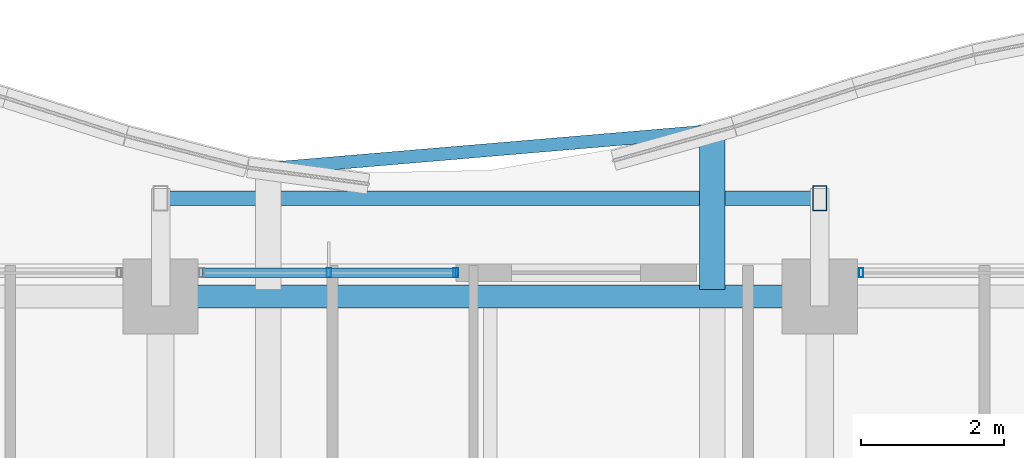
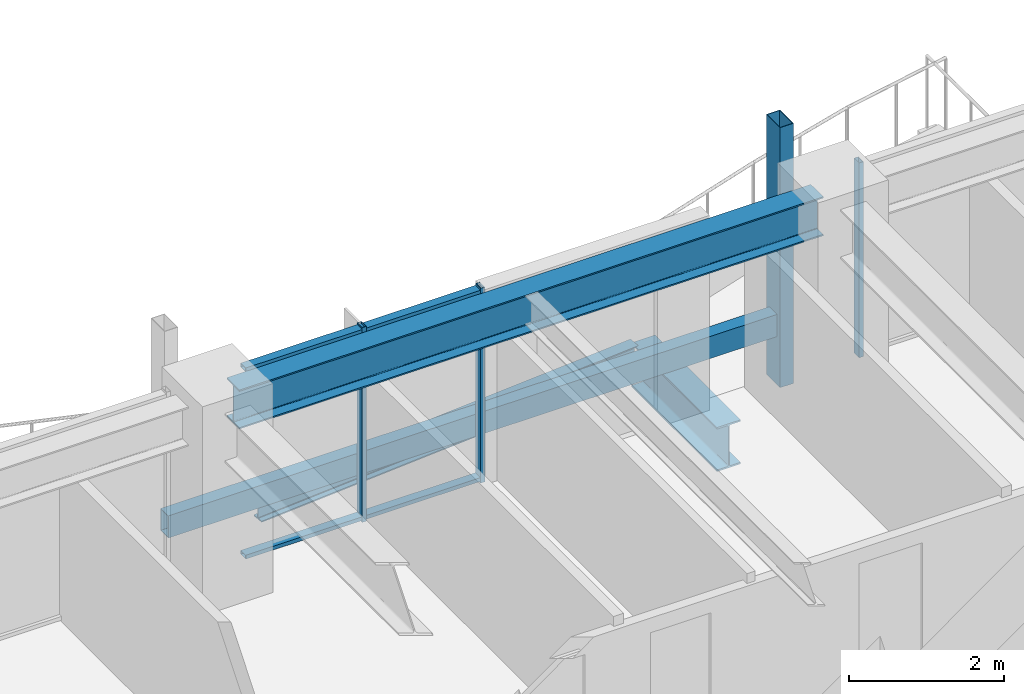
# One storey, part 19 of 34: 7 members, 3 beams, 2 elements without a shape of their own.
"""IFC4 building model written with IfcOpenShell, lengths in metres."""

from ifc_helpers import new_model, si_unit, direction, frame, origin, origin_2d, place, context, subcontext, project, spatial, hollow_rectangle, i_section, extrude, material, material_profile, profile_set, type_object, element, aggregate, save


model = new_model("IFC4")

# Units and contexts
model_context = context("Model", 3, precision=1e-05, world=origin(), true_north=direction((0.0, 1.0)))
body_context = subcontext(model_context, "Body", "Model", "MODEL_VIEW")
ifc_project = project(units=[si_unit("LENGTHUNIT", "METRE"), si_unit("AREAUNIT", "SQUARE_METRE"), si_unit("VOLUMEUNIT", "CUBIC_METRE"), si_unit("PLANEANGLEUNIT", "RADIAN"), si_unit("MASSUNIT", "GRAM", prefix="KILO")], contexts=[model_context])

# Site, building, storey
site_placement = place(None, origin())
site = spatial("IfcSite", under=ifc_project, at=site_placement, CompositionType="ELEMENT")
building_placement = place(site_placement, origin())
building = spatial("IfcBuilding", under=site, at=building_placement, Name="Kolvaren Belvedere", CompositionType="ELEMENT")
storey_placement = place(building_placement, frame((0.0, 0.0, 111.800048828125)))
storey = spatial("IfcBuildingStorey", under=building, at=storey_placement, Name="L32", CompositionType="ELEMENT", Elevation=111.800048828125)

# Beams
ifc_material_1 = material(Name="Structural steel ASTM A992 Grade 50", Category="steel")
ifc_material_profile_1 = material_profile(ifc_material_1, i_section(OverallWidth=0.35498046875, OverallDepth=0.696044921875, WebThickness=0.015380859375, FlangeThickness=0.02490234375, FilletRadius=0.02197265625, at=origin_2d()), Name="W27X146")
ifc_profile_set_1 = profile_set([ifc_material_profile_1], Name="Structural steel ASTM A992 Grade 50")
beam_type_1 = type_object("IfcBeamType", Name="BM-CANT-BAL", PredefinedType="BEAM", material=ifc_profile_set_1)
beam_1_placement = place(storey_placement, frame((3.10009765625, 18.7451171875, -0.568115234375), z_axis=(0.0, 1.0, 0.0), x_axis=(-1.0, 0.0, 0.0)))
element("IfcBeam", 1, at=beam_1_placement, inside=storey, type_object=beam_type_1, Name="L32 Planted Balcony Cantilever BAL-N-2", PredefinedType="BEAM", context=body_context, shape_type="SweptSolid", body=[
    extrude(i_section(OverallWidth=0.35498046875, OverallDepth=0.696044921875, WebThickness=0.015380859375, FlangeThickness=0.02490234375, FilletRadius=0.02197265625, at=origin_2d()), origin(), (0.0, 0.0, 1.0), 2.21337890625),
])
ifc_material_2 = material(Name="Structural steel ASTM A992 Grade 50", Category="steel")
ifc_material_profile_2 = material_profile(ifc_material_2, i_section(OverallWidth=0.180908203125, OverallDepth=0.4169921875, WebThickness=0.010986328125, FlangeThickness=0.018310546875, FilletRadius=0.013916015625, at=origin_2d()), Name="W16X57")
ifc_profile_set_2 = profile_set([ifc_material_profile_2], Name="Structural steel ASTM A992 Grade 50")
beam_type_2 = type_object("IfcBeamType", Name="BM-EDGE-W16X57", PredefinedType="BEAM", material=ifc_profile_set_2)
beam_2_placement = place(storey_placement, frame((-2.96044921875, 20.444091796875, -0.428466796875), z_axis=(0.996415343973, 0.08459587635, 0.0), x_axis=(-0.08459587635, 0.996415343973, 0.0)))
element("IfcBeam", 2, at=beam_2_placement, inside=storey, type_object=beam_type_2, Name="L32 Balcony Tip Header Beam BAL-N", PredefinedType="BEAM", context=body_context, shape_type="SweptSolid", body=[
    extrude(i_section(OverallWidth=0.180908203125, OverallDepth=0.4169921875, WebThickness=0.010986328125, FlangeThickness=0.018310546875, FilletRadius=0.013916015625, at=origin_2d()), origin(), (0.0, 0.0, 1.0), 5.942138671875),
])
ifc_material_3 = material(Name="Structural steel ASTM A992 Grade 50", Category="steel")
ifc_material_profile_3 = material_profile(ifc_material_3, i_section(OverallWidth=0.324951171875, OverallDepth=0.615966796875, WebThickness=0.013916015625, FlangeThickness=0.021484375, FilletRadius=0.02001953125, at=origin_2d()), Name="W24X117")
ifc_profile_set_3 = profile_set([ifc_material_profile_3], Name="Structural steel ASTM A992 Grade 50")
beam_type_3 = type_object("IfcBeamType", Name="BM-SPAN-W24X117", PredefinedType="SPANDREL", material=ifc_profile_set_3)
beam_3_placement = place(storey_placement, frame((4.36376953125, 18.64990234375, 2.77197265625), z_axis=(-1.0, 0.0, 0.0), x_axis=(0.0, -1.0, 0.0)))
element("IfcBeam", 3, at=beam_3_placement, inside=storey, type_object=beam_type_3, Name="L32 Perimeter Spandrel N3-N2", PredefinedType="SPANDREL", context=body_context, shape_type="SweptSolid", body=[
    extrude(i_section(OverallWidth=0.324951171875, OverallDepth=0.615966796875, WebThickness=0.013916015625, FlangeThickness=0.021484375, FilletRadius=0.02001953125, at=origin_2d()), origin(), (0.0, 0.0, 1.0), 8.7275390625),
])

# Curtain wall, members
ifc_material_4 = material(Name="Anodised pale-metal aluminium AA 6063-T6", Category="aluminium")
curtain_wall_type = type_object("IfcCurtainWallType", Name="CW-Z3-WAIST", PredefinedType="NOTDEFINED", material=ifc_material_4)
curtain_wall_1_placement = place(storey_placement, origin())
curtain_wall_1 = element("IfcCurtainWall", 4, at=curtain_wall_1_placement, inside=storey, type_object=curtain_wall_type, Name="L32 Unitised Curtain Wall FCW-L32-N1-B2", PredefinedType="NOTDEFINED")
ifc_material_5 = material(Name="Anodised pale-metal aluminium AA 6063-T6", Category="aluminium")
ifc_material_profile_4 = material_profile(ifc_material_5, hollow_rectangle(XDim=0.06494140625, YDim=0.1298828125, WallThickness=0.00390625, at=origin_2d()), Name="ALU-MUL-130X65")
ifc_profile_set_4 = profile_set([ifc_material_profile_4], Name="Anodised pale-metal aluminium AA 6063-T6")
member_type_1 = type_object("IfcMemberType", Name="CW-MUL-130", PredefinedType="MULLION", material=ifc_profile_set_4)
member_1_placement = place(storey_placement, frame((-2.251220703125, 18.97998046875, 0.0), z_axis=(0.0, 0.0, 1.0), x_axis=(1.0, 0.0, 0.0)))
member_1 = element("IfcMember", 5, at=member_1_placement, type_object=member_type_1, Name="FCW-L32-N1-B2 Unitised Mullion 2", PredefinedType="MULLION", context=body_context, shape_type="SweptSolid", body=[
    extrude(hollow_rectangle(XDim=0.06494140625, YDim=0.1298828125, WallThickness=0.00390625, at=origin_2d()), origin(), (0.0, 0.0, 1.0), 3.079833984375),
])
member_2_placement = place(storey_placement, frame((-0.47998046875, 18.97998046875, 0.0), z_axis=(0.0, 0.0, 1.0), x_axis=(1.0, 0.0, 0.0)))
member_2 = element("IfcMember", 6, at=member_2_placement, type_object=member_type_1, Name="FCW-L32-N1-B2 Unitised Mullion 3", PredefinedType="MULLION", context=body_context, shape_type="SweptSolid", body=[
    extrude(hollow_rectangle(XDim=0.06494140625, YDim=0.1298828125, WallThickness=0.00390625, at=origin_2d()), origin(), (0.0, 0.0, 1.0), 3.079833984375),
])

# Curtain wall, member
curtain_wall_2_placement = place(storey_placement, origin())
curtain_wall_2 = element("IfcCurtainWall", 7, at=curtain_wall_2_placement, inside=storey, type_object=curtain_wall_type, Name="L32 Unitised Curtain Wall FCW-L32-N2", PredefinedType="NOTDEFINED")
member_3_placement = place(storey_placement, frame((5.177490234375, 18.97998046875, 0.0), z_axis=(0.0, 0.0, 1.0), x_axis=(1.0, 0.0, 0.0)))
member_3 = element("IfcMember", 8, at=member_3_placement, type_object=member_type_1, Name="FCW-L32-N2 Unitised Mullion 1", PredefinedType="MULLION", context=body_context, shape_type="SweptSolid", body=[
    extrude(hollow_rectangle(XDim=0.06494140625, YDim=0.1298828125, WallThickness=0.00390625, at=origin_2d()), origin(), (0.0, 0.0, 1.0), 3.079833984375),
])
aggregate(curtain_wall_2, [member_3])

# Member
ifc_material_6 = material(Name="Anodised pale-metal aluminium AA 6063-T6", Category="aluminium")
ifc_material_profile_5 = material_profile(ifc_material_6, hollow_rectangle(XDim=0.06005859375, YDim=0.1298828125, WallThickness=0.00390625, at=origin_2d()), Name="ALU-TRN-130X60")
ifc_profile_set_5 = profile_set([ifc_material_profile_5], Name="Anodised pale-metal aluminium AA 6063-T6")
member_type_2 = type_object("IfcMemberType", Name="CW-TRN-130", PredefinedType="USERDEFINED", material=ifc_profile_set_5)
member_4_placement = place(storey_placement, frame((-4.0224609375, 18.97998046875, 0.06005859375), z_axis=(1.0, 0.0, 0.0), x_axis=(0.0, 0.0, 1.0)))
member_4 = element("IfcMember", 9, at=member_4_placement, type_object=member_type_2, Name="FCW-L32-N1-B2 Sill Transom", ObjectType="TRANSOM", PredefinedType="USERDEFINED", context=body_context, shape_type="SweptSolid", body=[
    extrude(hollow_rectangle(XDim=0.06005859375, YDim=0.1298828125, WallThickness=0.00390625, at=origin_2d()), origin(), (0.0, 0.0, 1.0), 3.54248046875),
])

member_5_placement = place(storey_placement, frame((-4.0224609375, 18.97998046875, 3.02001953125), z_axis=(1.0, 0.0, 0.0), x_axis=(0.0, 0.0, 1.0)))
member_5 = element("IfcMember", 10, at=member_5_placement, type_object=member_type_2, Name="FCW-L32-N1-B2 Head Transom", ObjectType="TRANSOM", PredefinedType="USERDEFINED", context=body_context, shape_type="SweptSolid", body=[
    extrude(hollow_rectangle(XDim=0.06005859375, YDim=0.1298828125, WallThickness=0.00390625, at=origin_2d()), origin(), (0.0, 0.0, 1.0), 3.54248046875),
])

aggregate(curtain_wall_1, [member_1, member_2, member_4, member_5])

# Members
ifc_material_7 = material(Name="Anodised pale-metal aluminium AA 6063-T6", Category="aluminium")
ifc_material_profile_6 = material_profile(ifc_material_7, hollow_rectangle(XDim=0.199951171875, YDim=0.35009765625, WallThickness=0.007568359375, at=origin_2d()), Name="ALU-PF-350X200")
ifc_profile_set_6 = profile_set([ifc_material_profile_6], Name="Anodised pale-metal aluminium AA 6063-T6")
member_type_3 = type_object("IfcMemberType", Name="PF-FRAME-350", PredefinedType="USERDEFINED", material=ifc_profile_set_6)
member_6_placement = place(storey_placement, frame((4.60009765625, 20.02001953125, -0.81005859375), z_axis=(0.0, 0.0, 1.0), x_axis=(1.0, 0.0, 0.0)))
element("IfcMember", 11, at=member_6_placement, inside=storey, type_object=member_type_3, Name="L32 Outboard Picture-Frame Vertical N2", ObjectType="PICTURE FRAME FIN", PredefinedType="USERDEFINED", context=body_context, shape_type="SweptSolid", body=[
    extrude(hollow_rectangle(XDim=0.199951171875, YDim=0.35009765625, WallThickness=0.007568359375, at=origin_2d()), origin(), (0.0, 0.0, 1.0), 4.110107421875),
])
member_7_placement = place(storey_placement, frame((-4.60009765625, 20.02001953125, 0.1298828125), z_axis=(1.0, 0.0, 0.0), x_axis=(0.0, 1.0, 0.0)))
element("IfcMember", 12, at=member_7_placement, inside=storey, type_object=member_type_3, Name="L32 Outboard Picture-Frame Sill N", ObjectType="PICTURE FRAME FIN", PredefinedType="USERDEFINED", context=body_context, shape_type="SweptSolid", body=[
    extrude(hollow_rectangle(XDim=0.199951171875, YDim=0.35009765625, WallThickness=0.007568359375, at=origin_2d()), origin(), (0.0, 0.0, 1.0), 9.2001953125),
])

save(model, "model.ifc")
